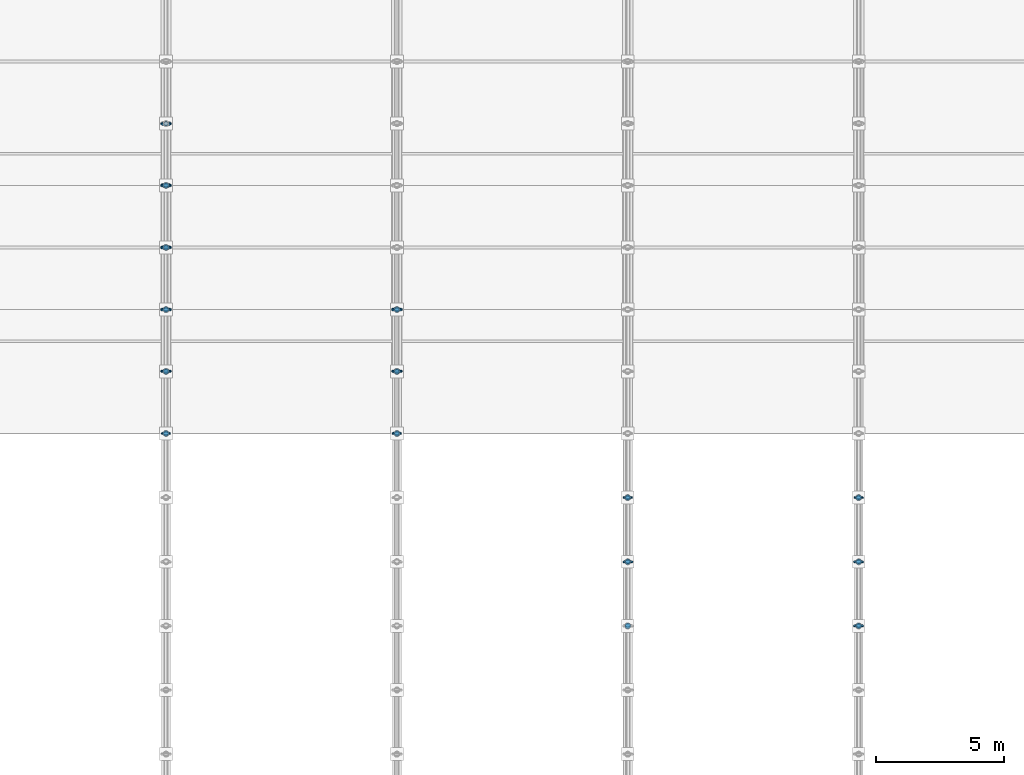
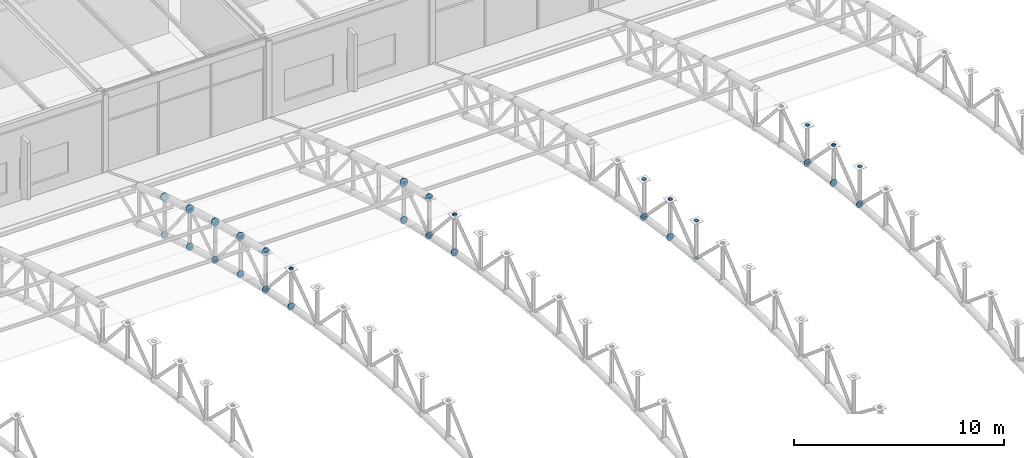
# One storey, part 134 of 195: 94 discrete accessories.
"""IFC4 building model written with IfcOpenShell, lengths in metres."""

from ifc_helpers import new_model, si_unit, direction, frame, origin, origin_2d, place, context, subcontext, project, spatial, circle, extrude, material, element, save


model = new_model("IFC4")

# Units and contexts
model_context = context("Model", 3, precision=1e-05, world=origin(), true_north=direction((0.0, 1.0)))
body_context = subcontext(model_context, "Body", "Model", "MODEL_VIEW")
ifc_project = project(units=[si_unit("LENGTHUNIT", "METRE"), si_unit("AREAUNIT", "SQUARE_METRE"), si_unit("VOLUMEUNIT", "CUBIC_METRE"), si_unit("PLANEANGLEUNIT", "RADIAN"), si_unit("MASSUNIT", "GRAM", prefix="KILO")], contexts=[model_context])

# Site, building, storey
site_placement = place(None, origin())
site = spatial("IfcSite", under=ifc_project, at=site_placement, CompositionType="ELEMENT")
building_placement = place(site_placement, origin())
building = spatial("IfcBuilding", under=site, at=building_placement, Name="Marlcrest Central Station", CompositionType="ELEMENT")
storey_placement = place(building_placement, frame((0.0, 0.0, 9.800048828125)))
storey = spatial("IfcBuildingStorey", under=building, at=storey_placement, Name="L02", CompositionType="ELEMENT", Elevation=9.800048828125)

# Discrete accessories
ifc_material = material(Name="Steel S355", Category="steel")
discrete_accessory_1_placement = place(storey_placement, frame((36.0, 80.975341796875, 3.407958984375), z_axis=(0.0, 0.98574109921, -0.168269086076), x_axis=(-1.0, 0.0, 0.0)))
element("IfcDiscreteAccessory", 1, at=discrete_accessory_1_placement, inside=storey, material=ifc_material, Name="endcap-mem-AC-02-L02-00596-e", ObjectType="END_CAP_PLATE", PredefinedType="BRACKET", context=body_context, shape_type="SweptSolid", body=[
    extrude(circle(Radius=0.185791015625, at=origin_2d()), origin(), (0.0, 0.0, 1.0), 0.0400390625),
])
discrete_accessory_2_placement = place(storey_placement, frame((36.0, 80.9794921875, 5.58935546875), z_axis=(0.0, 0.815661132754, 0.57852996164), x_axis=(-1.0, 0.0, 0.0)))
element("IfcDiscreteAccessory", 2, at=discrete_accessory_2_placement, inside=storey, material=ifc_material, Name="endcap-mem-AD-01-L02-00598-e", ObjectType="END_CAP_PLATE", PredefinedType="BRACKET", context=body_context, shape_type="SweptSolid", body=[
    extrude(circle(Radius=0.092041015625, at=origin_2d()), origin(), (0.0, 0.0, 1.0), 0.0400390625),
])
for number, where, z_axis, x_axis, name in (
    (3, (36.0, 80.9853515625, 3.40673828125), (0.0, 0.980359417961, -0.197219196874), (-1.0, 0.0, 0.0), "endcap-mem-AC-02-L02-00600-s"),
    (4, (36.0, 83.3955078125, 2.921875), (0.0, 0.980359417961, -0.197219196874), (-1.0, 0.0, 0.0), "endcap-mem-AC-02-L02-00600-e"),
):
    element("IfcDiscreteAccessory", number, at=place(storey_placement, frame(where, z_axis=z_axis, x_axis=x_axis)), inside=storey, material=ifc_material, Name=name, ObjectType="END_CAP_PLATE", PredefinedType="BRACKET", context=body_context, shape_type="SweptSolid", body=[
        extrude(circle(Radius=0.185791015625, at=origin_2d()), origin(), (0.0, 0.0, 1.0), 0.0400390625),
    ])
for number, where, z_axis, x_axis, name in (
    (5, (36.0, 81.0, 3.388916015625), (0.0, 0.0, 1.0), (1.0, 0.0, 0.0), "endcap-mem-AP-01-L02-00601-s"),
    (6, (36.0, 81.0, 5.578857421875), (0.0, 0.0, 1.0), (1.0, 0.0, 0.0), "endcap-mem-AP-01-L02-00601-e"),
):
    element("IfcDiscreteAccessory", number, at=place(storey_placement, frame(where, z_axis=z_axis, x_axis=x_axis)), inside=storey, material=ifc_material, Name=name, ObjectType="END_CAP_PLATE", PredefinedType="BRACKET", context=body_context, shape_type="SweptSolid", body=[
        extrude(circle(Radius=0.117431640625, at=origin_2d()), origin(), (0.0, 0.0, 1.0), 0.0400390625),
    ])
for number, where, z_axis, x_axis, name in (
    (7, (36.0, 80.989990234375, 5.614990234375), (0.0, 0.669244457479, -0.743042297675), (-1.0, 0.0, 0.0), "endcap-mem-AD-01-L02-00602-s"),
    (8, (36.0, 83.403076171875, 2.935546875), (0.0, 0.669244457479, -0.743042297675), (-1.0, 0.0, 0.0), "endcap-mem-AD-01-L02-00602-e"),
):
    element("IfcDiscreteAccessory", number, at=place(storey_placement, frame(where, z_axis=z_axis, x_axis=x_axis)), inside=storey, material=ifc_material, Name=name, ObjectType="END_CAP_PLATE", PredefinedType="BRACKET", context=body_context, shape_type="SweptSolid", body=[
        extrude(circle(Radius=0.092041015625, at=origin_2d()), origin(), (0.0, 0.0, 1.0), 0.0400390625),
    ])
for number, where, z_axis, x_axis, name in (
    (9, (36.0, 83.4052734375, 5.120361328125), (0.0, 0.974329612642, -0.225126200004), (-1.0, 0.0, 0.0), "endcap-mem-AC-01-L02-00603-s"),
    (10, (36.0, 85.8056640625, 4.565673828125), (0.0, 0.974329612642, -0.225126200004), (-1.0, 0.0, 0.0), "endcap-mem-AC-01-L02-00603-e"),
):
    element("IfcDiscreteAccessory", number, at=place(storey_placement, frame(where, z_axis=z_axis, x_axis=x_axis)), inside=storey, material=ifc_material, Name=name, ObjectType="END_CAP_PLATE", PredefinedType="BRACKET", context=body_context, shape_type="SweptSolid", body=[
        extrude(circle(Radius=0.211181640625, at=origin_2d()), origin(), (0.0, 0.0, 1.0), 0.0400390625),
    ])
for number, where, z_axis, x_axis, name in (
    (11, (36.0, 83.4052734375, 2.92041015625), (0.0, 0.974307959875, -0.225219891049), (-1.0, 0.0, 0.0), "endcap-mem-AC-02-L02-00604-s"),
    (12, (36.0, 85.8056640625, 2.365478515625), (0.0, 0.974307959875, -0.225219891049), (-1.0, 0.0, 0.0), "endcap-mem-AC-02-L02-00604-e"),
):
    element("IfcDiscreteAccessory", number, at=place(storey_placement, frame(where, z_axis=z_axis, x_axis=x_axis)), inside=storey, material=ifc_material, Name=name, ObjectType="END_CAP_PLATE", PredefinedType="BRACKET", context=body_context, shape_type="SweptSolid", body=[
        extrude(circle(Radius=0.185791015625, at=origin_2d()), origin(), (0.0, 0.0, 1.0), 0.0400390625),
    ])
for number, where, z_axis, x_axis, name in (
    (13, (36.0, 83.419921875, 2.902099609375), (0.0, 0.0, 1.0), (1.0, 0.0, 0.0), "endcap-mem-AP-01-L02-00605-s"),
    (14, (36.0, 83.419921875, 5.092041015625), (0.0, 0.0, 1.0), (1.0, 0.0, 0.0), "endcap-mem-AP-01-L02-00605-e"),
):
    element("IfcDiscreteAccessory", number, at=place(storey_placement, frame(where, z_axis=z_axis, x_axis=x_axis)), inside=storey, material=ifc_material, Name=name, ObjectType="END_CAP_PLATE", PredefinedType="BRACKET", context=body_context, shape_type="SweptSolid", body=[
        extrude(circle(Radius=0.117431640625, at=origin_2d()), origin(), (0.0, 0.0, 1.0), 0.0400390625),
    ])
for number, where, z_axis, x_axis, name in (
    (15, (36.0, 83.407470703125, 2.908447265625), (0.0, 0.82626275624, 0.563284881432), (-1.0, 0.0, 0.0), "endcap-mem-AD-01-L02-00606-s"),
    (16, (36.0, 85.809326171875, 4.5458984375), (0.0, 0.82626275624, 0.563284881432), (-1.0, 0.0, 0.0), "endcap-mem-AD-01-L02-00606-e"),
):
    element("IfcDiscreteAccessory", number, at=place(storey_placement, frame(where, z_axis=z_axis, x_axis=x_axis)), inside=storey, material=ifc_material, Name=name, ObjectType="END_CAP_PLATE", PredefinedType="BRACKET", context=body_context, shape_type="SweptSolid", body=[
        extrude(circle(Radius=0.092041015625, at=origin_2d()), origin(), (0.0, 0.0, 1.0), 0.0400390625),
    ])
for number, where, z_axis, x_axis, name in (
    (17, (36.0, 85.815673828125, 4.56396484375), (0.0, 0.967539481681, -0.252719906989), (-1.0, 0.0, 0.0), "endcap-mem-AC-01-L02-00607-s"),
    (18, (36.0, 88.225830078125, 3.934326171875), (0.0, 0.967539481681, -0.252719906989), (-1.0, 0.0, 0.0), "endcap-mem-AC-01-L02-00607-e"),
):
    element("IfcDiscreteAccessory", number, at=place(storey_placement, frame(where, z_axis=z_axis, x_axis=x_axis)), inside=storey, material=ifc_material, Name=name, ObjectType="END_CAP_PLATE", PredefinedType="BRACKET", context=body_context, shape_type="SweptSolid", body=[
        extrude(circle(Radius=0.211181640625, at=origin_2d()), origin(), (0.0, 0.0, 1.0), 0.0400390625),
    ])
for number, where, z_axis, x_axis, name in (
    (19, (36.0, 85.815673828125, 2.36376953125), (0.0, 0.967563345928, -0.252628524946), (-1.0, 0.0, 0.0), "endcap-mem-AC-02-L02-00608-s"),
    (20, (36.0, 88.225830078125, 1.734375), (0.0, 0.967563345928, -0.252628524946), (-1.0, 0.0, 0.0), "endcap-mem-AC-02-L02-00608-e"),
):
    element("IfcDiscreteAccessory", number, at=place(storey_placement, frame(where, z_axis=z_axis, x_axis=x_axis)), inside=storey, material=ifc_material, Name=name, ObjectType="END_CAP_PLATE", PredefinedType="BRACKET", context=body_context, shape_type="SweptSolid", body=[
        extrude(circle(Radius=0.185791015625, at=origin_2d()), origin(), (0.0, 0.0, 1.0), 0.0400390625),
    ])
for number, where, z_axis, x_axis, name in (
    (21, (36.0, 85.830078125, 2.344970703125), (0.0, 0.0, 1.0), (1.0, 0.0, 0.0), "endcap-mem-AP-01-L02-00609-s"),
    (22, (36.0, 85.830078125, 4.53515625), (0.0, 0.0, 1.0), (1.0, 0.0, 0.0), "endcap-mem-AP-01-L02-00609-e"),
):
    element("IfcDiscreteAccessory", number, at=place(storey_placement, frame(where, z_axis=z_axis, x_axis=x_axis)), inside=storey, material=ifc_material, Name=name, ObjectType="END_CAP_PLATE", PredefinedType="BRACKET", context=body_context, shape_type="SweptSolid", body=[
        extrude(circle(Radius=0.117431640625, at=origin_2d()), origin(), (0.0, 0.0, 1.0), 0.0400390625),
    ])
for number, where, z_axis, x_axis, name in (
    (23, (36.0, 85.8203125, 4.571533203125), (0.0, 0.649624779144, -0.760254987699), (-1.0, 0.0, 0.0), "endcap-mem-AD-01-L02-00610-s"),
    (24, (36.0, 88.233642578125, 1.7470703125), (0.0, 0.649624779144, -0.760254987699), (-1.0, 0.0, 0.0), "endcap-mem-AD-01-L02-00610-e"),
):
    element("IfcDiscreteAccessory", number, at=place(storey_placement, frame(where, z_axis=z_axis, x_axis=x_axis)), inside=storey, material=ifc_material, Name=name, ObjectType="END_CAP_PLATE", PredefinedType="BRACKET", context=body_context, shape_type="SweptSolid", body=[
        extrude(circle(Radius=0.092041015625, at=origin_2d()), origin(), (0.0, 0.0, 1.0), 0.0400390625),
    ])
for number, where, z_axis, x_axis, name in (
    (25, (36.0, 88.235595703125, 3.93212890625), (0.0, 0.960130083362, -0.27955361386), (-1.0, 0.0, 0.0), "endcap-mem-AC-01-L02-00611-s"),
    (26, (36.0, 90.64599609375, 3.23046875), (0.0, 0.960130083362, -0.27955361386), (-1.0, 0.0, 0.0), "endcap-mem-AC-01-L02-00611-e"),
):
    element("IfcDiscreteAccessory", number, at=place(storey_placement, frame(where, z_axis=z_axis, x_axis=x_axis)), inside=storey, material=ifc_material, Name=name, ObjectType="END_CAP_PLATE", PredefinedType="BRACKET", context=body_context, shape_type="SweptSolid", body=[
        extrude(circle(Radius=0.211181640625, at=origin_2d()), origin(), (0.0, 0.0, 1.0), 0.0400390625),
    ])
for number, where, z_axis, x_axis, name in (
    (27, (36.0, 88.235595703125, 1.732177734375), (0.0, 0.960130083362, -0.27955361386), (-1.0, 0.0, 0.0), "endcap-mem-AC-02-L02-00612-s"),
    (28, (36.0, 90.64599609375, 1.030517578125), (0.0, 0.960130083362, -0.27955361386), (-1.0, 0.0, 0.0), "endcap-mem-AC-02-L02-00612-e"),
):
    element("IfcDiscreteAccessory", number, at=place(storey_placement, frame(where, z_axis=z_axis, x_axis=x_axis)), inside=storey, material=ifc_material, Name=name, ObjectType="END_CAP_PLATE", PredefinedType="BRACKET", context=body_context, shape_type="SweptSolid", body=[
        extrude(circle(Radius=0.185791015625, at=origin_2d()), origin(), (0.0, 0.0, 1.0), 0.0400390625),
    ])
for number, where, z_axis, x_axis, name in (
    (29, (36.0, 88.25, 1.713134765625), (0.0, 0.0, 1.0), (1.0, 0.0, 0.0), "endcap-mem-AP-01-L02-00613-s"),
    (30, (36.0, 88.25, 3.903076171875), (0.0, 0.0, 1.0), (1.0, 0.0, 0.0), "endcap-mem-AP-01-L02-00613-e"),
):
    element("IfcDiscreteAccessory", number, at=place(storey_placement, frame(where, z_axis=z_axis, x_axis=x_axis)), inside=storey, material=ifc_material, Name=name, ObjectType="END_CAP_PLATE", PredefinedType="BRACKET", context=body_context, shape_type="SweptSolid", body=[
        extrude(circle(Radius=0.117431640625, at=origin_2d()), origin(), (0.0, 0.0, 1.0), 0.0400390625),
    ])
for number, where, z_axis, x_axis, name in (
    (31, (36.0, 88.2373046875, 1.72021484375), (0.0, 0.850687380038, 0.525671933286), (-1.0, 0.0, 0.0), "endcap-mem-AD-01-L02-00614-s"),
    (32, (36.0, 90.648681640625, 3.210205078125), (0.0, 0.850687380038, 0.525671933286), (-1.0, 0.0, 0.0), "endcap-mem-AD-01-L02-00614-e"),
):
    element("IfcDiscreteAccessory", number, at=place(storey_placement, frame(where, z_axis=z_axis, x_axis=x_axis)), inside=storey, material=ifc_material, Name=name, ObjectType="END_CAP_PLATE", PredefinedType="BRACKET", context=body_context, shape_type="SweptSolid", body=[
        extrude(circle(Radius=0.092041015625, at=origin_2d()), origin(), (0.0, 0.0, 1.0), 0.0400390625),
    ])
for number, where, z_axis, x_axis, name in (
    (33, (36.0, 90.65576171875, 3.22802734375), (0.0, 0.952116828449, -0.305734435391), (-1.0, 0.0, 0.0), "endcap-mem-AC-01-L02-00615-s"),
    (34, (36.0, 93.056396484375, 2.45703125), (0.0, 0.952116828449, -0.305734435391), (-1.0, 0.0, 0.0), "endcap-mem-AC-01-L02-00615-e"),
):
    element("IfcDiscreteAccessory", number, at=place(storey_placement, frame(where, z_axis=z_axis, x_axis=x_axis)), inside=storey, material=ifc_material, Name=name, ObjectType="END_CAP_PLATE", PredefinedType="BRACKET", context=body_context, shape_type="SweptSolid", body=[
        extrude(circle(Radius=0.211181640625, at=origin_2d()), origin(), (0.0, 0.0, 1.0), 0.0400390625),
    ])
for number, where, z_axis, x_axis, name in (
    (35, (36.0, 90.65576171875, 1.028076171875), (0.0, 0.952116828449, -0.305734435391), (-1.0, 0.0, 0.0), "endcap-mem-AC-02-L02-00616-s"),
    (36, (36.0, 93.056396484375, 0.257080078125), (0.0, 0.952116828449, -0.305734435391), (-1.0, 0.0, 0.0), "endcap-mem-AC-02-L02-00616-e"),
):
    element("IfcDiscreteAccessory", number, at=place(storey_placement, frame(where, z_axis=z_axis, x_axis=x_axis)), inside=storey, material=ifc_material, Name=name, ObjectType="END_CAP_PLATE", PredefinedType="BRACKET", context=body_context, shape_type="SweptSolid", body=[
        extrude(circle(Radius=0.185791015625, at=origin_2d()), origin(), (0.0, 0.0, 1.0), 0.0400390625),
    ])
for number, where, z_axis, x_axis, name in (
    (37, (36.0, 90.669921875, 1.008544921875), (0.0, 0.0, 1.0), (1.0, 0.0, 0.0), "endcap-mem-AP-01-L02-00617-s"),
    (38, (36.0, 90.669921875, 3.198486328125), (0.0, 0.0, 1.0), (1.0, 0.0, 0.0), "endcap-mem-AP-01-L02-00617-e"),
):
    element("IfcDiscreteAccessory", number, at=place(storey_placement, frame(where, z_axis=z_axis, x_axis=x_axis)), inside=storey, material=ifc_material, Name=name, ObjectType="END_CAP_PLATE", PredefinedType="BRACKET", context=body_context, shape_type="SweptSolid", body=[
        extrude(circle(Radius=0.117431640625, at=origin_2d()), origin(), (0.0, 0.0, 1.0), 0.0400390625),
    ])
for number, where, z_axis, x_axis, name in (
    (39, (36.0, 90.660400390625, 3.235107421875), (0.0, 0.62962929743, -0.776895712318), (-1.0, 0.0, 0.0), "endcap-mem-AD-01-L02-00618-s"),
    (40, (36.0, 93.064453125, 0.26904296875), (0.0, 0.62962929743, -0.776895712318), (-1.0, 0.0, 0.0), "endcap-mem-AD-01-L02-00618-e"),
):
    element("IfcDiscreteAccessory", number, at=place(storey_placement, frame(where, z_axis=z_axis, x_axis=x_axis)), inside=storey, material=ifc_material, Name=name, ObjectType="END_CAP_PLATE", PredefinedType="BRACKET", context=body_context, shape_type="SweptSolid", body=[
        extrude(circle(Radius=0.092041015625, at=origin_2d()), origin(), (0.0, 0.0, 1.0), 0.0400390625),
    ])
discrete_accessory_3_placement = place(storey_placement, frame((45.0, 80.975341796875, 3.407958984375), z_axis=(0.0, 0.98574109921, -0.168269086076), x_axis=(-1.0, 0.0, 0.0)))
element("IfcDiscreteAccessory", 41, at=discrete_accessory_3_placement, inside=storey, material=ifc_material, Name="endcap-mem-AC-02-L02-00712-e", ObjectType="END_CAP_PLATE", PredefinedType="BRACKET", context=body_context, shape_type="SweptSolid", body=[
    extrude(circle(Radius=0.185791015625, at=origin_2d()), origin(), (0.0, 0.0, 1.0), 0.0400390625),
])
discrete_accessory_4_placement = place(storey_placement, frame((45.0, 80.9794921875, 5.58935546875), z_axis=(0.0, 0.815661132754, 0.57852996164), x_axis=(-1.0, 0.0, 0.0)))
element("IfcDiscreteAccessory", 42, at=discrete_accessory_4_placement, inside=storey, material=ifc_material, Name="endcap-mem-AD-01-L02-00714-e", ObjectType="END_CAP_PLATE", PredefinedType="BRACKET", context=body_context, shape_type="SweptSolid", body=[
    extrude(circle(Radius=0.092041015625, at=origin_2d()), origin(), (0.0, 0.0, 1.0), 0.0400390625),
])
for number, where, z_axis, x_axis, name in (
    (43, (45.0, 80.9853515625, 3.40673828125), (0.0, 0.980359417961, -0.197219196874), (-1.0, 0.0, 0.0), "endcap-mem-AC-02-L02-00716-s"),
    (44, (45.0, 83.3955078125, 2.921875), (0.0, 0.980359417961, -0.197219196874), (-1.0, 0.0, 0.0), "endcap-mem-AC-02-L02-00716-e"),
):
    element("IfcDiscreteAccessory", number, at=place(storey_placement, frame(where, z_axis=z_axis, x_axis=x_axis)), inside=storey, material=ifc_material, Name=name, ObjectType="END_CAP_PLATE", PredefinedType="BRACKET", context=body_context, shape_type="SweptSolid", body=[
        extrude(circle(Radius=0.185791015625, at=origin_2d()), origin(), (0.0, 0.0, 1.0), 0.0400390625),
    ])
for number, where, z_axis, x_axis, name in (
    (45, (45.0, 81.0, 3.388916015625), (0.0, 0.0, 1.0), (1.0, 0.0, 0.0), "endcap-mem-AP-01-L02-00717-s"),
    (46, (45.0, 81.0, 5.578857421875), (0.0, 0.0, 1.0), (1.0, 0.0, 0.0), "endcap-mem-AP-01-L02-00717-e"),
):
    element("IfcDiscreteAccessory", number, at=place(storey_placement, frame(where, z_axis=z_axis, x_axis=x_axis)), inside=storey, material=ifc_material, Name=name, ObjectType="END_CAP_PLATE", PredefinedType="BRACKET", context=body_context, shape_type="SweptSolid", body=[
        extrude(circle(Radius=0.117431640625, at=origin_2d()), origin(), (0.0, 0.0, 1.0), 0.0400390625),
    ])
for number, where, z_axis, x_axis, name in (
    (47, (45.0, 80.989990234375, 5.614990234375), (0.0, 0.669244457479, -0.743042297675), (-1.0, 0.0, 0.0), "endcap-mem-AD-01-L02-00718-s"),
    (48, (45.0, 83.403076171875, 2.935546875), (0.0, 0.669244457479, -0.743042297675), (-1.0, 0.0, 0.0), "endcap-mem-AD-01-L02-00718-e"),
):
    element("IfcDiscreteAccessory", number, at=place(storey_placement, frame(where, z_axis=z_axis, x_axis=x_axis)), inside=storey, material=ifc_material, Name=name, ObjectType="END_CAP_PLATE", PredefinedType="BRACKET", context=body_context, shape_type="SweptSolid", body=[
        extrude(circle(Radius=0.092041015625, at=origin_2d()), origin(), (0.0, 0.0, 1.0), 0.0400390625),
    ])
for number, where, z_axis, x_axis, name in (
    (49, (45.0, 83.4052734375, 5.120361328125), (0.0, 0.974329612642, -0.225126200004), (-1.0, 0.0, 0.0), "endcap-mem-AC-01-L02-00719-s"),
    (50, (45.0, 85.8056640625, 4.565673828125), (0.0, 0.974329612642, -0.225126200004), (-1.0, 0.0, 0.0), "endcap-mem-AC-01-L02-00719-e"),
):
    element("IfcDiscreteAccessory", number, at=place(storey_placement, frame(where, z_axis=z_axis, x_axis=x_axis)), inside=storey, material=ifc_material, Name=name, ObjectType="END_CAP_PLATE", PredefinedType="BRACKET", context=body_context, shape_type="SweptSolid", body=[
        extrude(circle(Radius=0.211181640625, at=origin_2d()), origin(), (0.0, 0.0, 1.0), 0.0400390625),
    ])
for number, where, z_axis, x_axis, name in (
    (51, (45.0, 83.4052734375, 2.92041015625), (0.0, 0.974307959875, -0.225219891049), (-1.0, 0.0, 0.0), "endcap-mem-AC-02-L02-00720-s"),
    (52, (45.0, 85.8056640625, 2.365478515625), (0.0, 0.974307959875, -0.225219891049), (-1.0, 0.0, 0.0), "endcap-mem-AC-02-L02-00720-e"),
):
    element("IfcDiscreteAccessory", number, at=place(storey_placement, frame(where, z_axis=z_axis, x_axis=x_axis)), inside=storey, material=ifc_material, Name=name, ObjectType="END_CAP_PLATE", PredefinedType="BRACKET", context=body_context, shape_type="SweptSolid", body=[
        extrude(circle(Radius=0.185791015625, at=origin_2d()), origin(), (0.0, 0.0, 1.0), 0.0400390625),
    ])
for number, where, z_axis, x_axis, name in (
    (53, (45.0, 83.419921875, 2.902099609375), (0.0, 0.0, 1.0), (1.0, 0.0, 0.0), "endcap-mem-AP-01-L02-00721-s"),
    (54, (45.0, 83.419921875, 5.092041015625), (0.0, 0.0, 1.0), (1.0, 0.0, 0.0), "endcap-mem-AP-01-L02-00721-e"),
):
    element("IfcDiscreteAccessory", number, at=place(storey_placement, frame(where, z_axis=z_axis, x_axis=x_axis)), inside=storey, material=ifc_material, Name=name, ObjectType="END_CAP_PLATE", PredefinedType="BRACKET", context=body_context, shape_type="SweptSolid", body=[
        extrude(circle(Radius=0.117431640625, at=origin_2d()), origin(), (0.0, 0.0, 1.0), 0.0400390625),
    ])
for number, where, z_axis, x_axis, name in (
    (55, (45.0, 83.407470703125, 2.908447265625), (0.0, 0.82626275624, 0.563284881432), (-1.0, 0.0, 0.0), "endcap-mem-AD-01-L02-00722-s"),
    (56, (45.0, 85.809326171875, 4.5458984375), (0.0, 0.82626275624, 0.563284881432), (-1.0, 0.0, 0.0), "endcap-mem-AD-01-L02-00722-e"),
):
    element("IfcDiscreteAccessory", number, at=place(storey_placement, frame(where, z_axis=z_axis, x_axis=x_axis)), inside=storey, material=ifc_material, Name=name, ObjectType="END_CAP_PLATE", PredefinedType="BRACKET", context=body_context, shape_type="SweptSolid", body=[
        extrude(circle(Radius=0.092041015625, at=origin_2d()), origin(), (0.0, 0.0, 1.0), 0.0400390625),
    ])
discrete_accessory_5_placement = place(storey_placement, frame((45.0, 85.815673828125, 4.56396484375), z_axis=(0.0, 0.967539481681, -0.252719906989), x_axis=(-1.0, 0.0, 0.0)))
element("IfcDiscreteAccessory", 57, at=discrete_accessory_5_placement, inside=storey, material=ifc_material, Name="endcap-mem-AC-01-L02-00723-s", ObjectType="END_CAP_PLATE", PredefinedType="BRACKET", context=body_context, shape_type="SweptSolid", body=[
    extrude(circle(Radius=0.211181640625, at=origin_2d()), origin(), (0.0, 0.0, 1.0), 0.0400390625),
])
discrete_accessory_6_placement = place(storey_placement, frame((45.0, 85.815673828125, 2.36376953125), z_axis=(0.0, 0.967563345928, -0.252628524946), x_axis=(-1.0, 0.0, 0.0)))
element("IfcDiscreteAccessory", 58, at=discrete_accessory_6_placement, inside=storey, material=ifc_material, Name="endcap-mem-AC-02-L02-00724-s", ObjectType="END_CAP_PLATE", PredefinedType="BRACKET", context=body_context, shape_type="SweptSolid", body=[
    extrude(circle(Radius=0.185791015625, at=origin_2d()), origin(), (0.0, 0.0, 1.0), 0.0400390625),
])
for number, where, z_axis, x_axis, name in (
    (59, (45.0, 85.830078125, 2.344970703125), (0.0, 0.0, 1.0), (1.0, 0.0, 0.0), "endcap-mem-AP-01-L02-00725-s"),
    (60, (45.0, 85.830078125, 4.53515625), (0.0, 0.0, 1.0), (1.0, 0.0, 0.0), "endcap-mem-AP-01-L02-00725-e"),
):
    element("IfcDiscreteAccessory", number, at=place(storey_placement, frame(where, z_axis=z_axis, x_axis=x_axis)), inside=storey, material=ifc_material, Name=name, ObjectType="END_CAP_PLATE", PredefinedType="BRACKET", context=body_context, shape_type="SweptSolid", body=[
        extrude(circle(Radius=0.117431640625, at=origin_2d()), origin(), (0.0, 0.0, 1.0), 0.0400390625),
    ])
discrete_accessory_7_placement = place(storey_placement, frame((45.0, 85.8203125, 4.571533203125), z_axis=(0.0, 0.649624779144, -0.760254987699), x_axis=(-1.0, 0.0, 0.0)))
element("IfcDiscreteAccessory", 61, at=discrete_accessory_7_placement, inside=storey, material=ifc_material, Name="endcap-mem-AD-01-L02-00726-s", ObjectType="END_CAP_PLATE", PredefinedType="BRACKET", context=body_context, shape_type="SweptSolid", body=[
    extrude(circle(Radius=0.092041015625, at=origin_2d()), origin(), (0.0, 0.0, 1.0), 0.0400390625),
])
discrete_accessory_8_placement = place(storey_placement, frame((54.0, 75.97509765625, 4.18212890625), z_axis=(0.0, 0.994155341034, -0.107959056565), x_axis=(-1.0, 0.0, 0.0)))
element("IfcDiscreteAccessory", 62, at=discrete_accessory_8_placement, inside=storey, material=ifc_material, Name="endcap-mem-AC-02-L02-00820-e", ObjectType="END_CAP_PLATE", PredefinedType="BRACKET", context=body_context, shape_type="SweptSolid", body=[
    extrude(circle(Radius=0.185791015625, at=origin_2d()), origin(), (0.0, 0.0, 1.0), 0.0400390625),
])
for number, where, z_axis, x_axis, name in (
    (63, (54.0, 73.5, 4.43603515625), (0.0, 0.0, 1.0), (1.0, 0.0, 0.0), "endcap-mem-AP-01-L02-00821-s"),
    (64, (54.0, 73.5, 6.6259765625), (0.0, 0.0, 1.0), (1.0, 0.0, 0.0), "endcap-mem-AP-01-L02-00821-e"),
):
    element("IfcDiscreteAccessory", number, at=place(storey_placement, frame(where, z_axis=z_axis, x_axis=x_axis)), inside=storey, material=ifc_material, Name=name, ObjectType="END_CAP_PLATE", PredefinedType="BRACKET", context=body_context, shape_type="SweptSolid", body=[
        extrude(circle(Radius=0.117431640625, at=origin_2d()), origin(), (0.0, 0.0, 1.0), 0.0400390625),
    ])
for number, where, z_axis, x_axis, name in (
    (65, (54.0, 73.488037109375, 4.441650390625), (0.0, 0.791798282026, 0.610782678684), (-1.0, 0.0, 0.0), "endcap-mem-AD-01-L02-00822-s"),
    (66, (54.0, 75.980224609375, 6.364013671875), (0.0, 0.791798282026, 0.610782678684), (-1.0, 0.0, 0.0), "endcap-mem-AD-01-L02-00822-e"),
):
    element("IfcDiscreteAccessory", number, at=place(storey_placement, frame(where, z_axis=z_axis, x_axis=x_axis)), inside=storey, material=ifc_material, Name=name, ObjectType="END_CAP_PLATE", PredefinedType="BRACKET", context=body_context, shape_type="SweptSolid", body=[
        extrude(circle(Radius=0.092041015625, at=origin_2d()), origin(), (0.0, 0.0, 1.0), 0.0400390625),
    ])
for number, where, z_axis, x_axis, name in (
    (67, (54.0, 75.985107421875, 4.181396484375), (0.0, 0.990402740232, -0.138211476152), (-1.0, 0.0, 0.0), "endcap-mem-AC-02-L02-00824-s"),
    (68, (54.0, 78.475341796875, 3.833984375), (0.0, 0.990402740232, -0.138211476152), (-1.0, 0.0, 0.0), "endcap-mem-AC-02-L02-00824-e"),
):
    element("IfcDiscreteAccessory", number, at=place(storey_placement, frame(where, z_axis=z_axis, x_axis=x_axis)), inside=storey, material=ifc_material, Name=name, ObjectType="END_CAP_PLATE", PredefinedType="BRACKET", context=body_context, shape_type="SweptSolid", body=[
        extrude(circle(Radius=0.185791015625, at=origin_2d()), origin(), (0.0, 0.0, 1.0), 0.0400390625),
    ])
for number, where, z_axis, x_axis, name in (
    (69, (54.0, 76.0, 4.16455078125), (0.0, 0.0, 1.0), (1.0, 0.0, 0.0), "endcap-mem-AP-01-L02-00825-s"),
    (70, (54.0, 76.0, 6.3544921875), (0.0, 0.0, 1.0), (1.0, 0.0, 0.0), "endcap-mem-AP-01-L02-00825-e"),
):
    element("IfcDiscreteAccessory", number, at=place(storey_placement, frame(where, z_axis=z_axis, x_axis=x_axis)), inside=storey, material=ifc_material, Name=name, ObjectType="END_CAP_PLATE", PredefinedType="BRACKET", context=body_context, shape_type="SweptSolid", body=[
        extrude(circle(Radius=0.117431640625, at=origin_2d()), origin(), (0.0, 0.0, 1.0), 0.0400390625),
    ])
for number, where, z_axis, x_axis, name in (
    (71, (54.0, 75.989501953125, 6.39013671875), (0.0, 0.70023547796, -0.713911952139), (-1.0, 0.0, 0.0), "endcap-mem-AD-01-L02-00826-s"),
    (72, (54.0, 78.482421875, 3.848388671875), (0.0, 0.70023547796, -0.713911952139), (-1.0, 0.0, 0.0), "endcap-mem-AD-01-L02-00826-e"),
):
    element("IfcDiscreteAccessory", number, at=place(storey_placement, frame(where, z_axis=z_axis, x_axis=x_axis)), inside=storey, material=ifc_material, Name=name, ObjectType="END_CAP_PLATE", PredefinedType="BRACKET", context=body_context, shape_type="SweptSolid", body=[
        extrude(circle(Radius=0.092041015625, at=origin_2d()), origin(), (0.0, 0.0, 1.0), 0.0400390625),
    ])
discrete_accessory_9_placement = place(storey_placement, frame((54.0, 78.485107421875, 3.8330078125), z_axis=(0.0, 0.98574109921, -0.168269086076), x_axis=(-1.0, 0.0, 0.0)))
element("IfcDiscreteAccessory", 73, at=discrete_accessory_9_placement, inside=storey, material=ifc_material, Name="endcap-mem-AC-02-L02-00828-s", ObjectType="END_CAP_PLATE", PredefinedType="BRACKET", context=body_context, shape_type="SweptSolid", body=[
    extrude(circle(Radius=0.185791015625, at=origin_2d()), origin(), (0.0, 0.0, 1.0), 0.0400390625),
])
for number, where, z_axis, x_axis, name in (
    (74, (54.0, 78.5, 3.815673828125), (0.0, 0.0, 1.0), (1.0, 0.0, 0.0), "endcap-mem-AP-01-L02-00829-s"),
    (75, (54.0, 78.5, 6.005615234375), (0.0, 0.0, 1.0), (1.0, 0.0, 0.0), "endcap-mem-AP-01-L02-00829-e"),
):
    element("IfcDiscreteAccessory", number, at=place(storey_placement, frame(where, z_axis=z_axis, x_axis=x_axis)), inside=storey, material=ifc_material, Name=name, ObjectType="END_CAP_PLATE", PredefinedType="BRACKET", context=body_context, shape_type="SweptSolid", body=[
        extrude(circle(Radius=0.117431640625, at=origin_2d()), origin(), (0.0, 0.0, 1.0), 0.0400390625),
    ])
discrete_accessory_10_placement = place(storey_placement, frame((54.0, 78.48779296875, 3.82177734375), z_axis=(0.0, 0.815661132754, 0.57852996164), x_axis=(-1.0, 0.0, 0.0)))
element("IfcDiscreteAccessory", 76, at=discrete_accessory_10_placement, inside=storey, material=ifc_material, Name="endcap-mem-AD-01-L02-00830-s", ObjectType="END_CAP_PLATE", PredefinedType="BRACKET", context=body_context, shape_type="SweptSolid", body=[
    extrude(circle(Radius=0.092041015625, at=origin_2d()), origin(), (0.0, 0.0, 1.0), 0.0400390625),
])
discrete_accessory_11_placement = place(storey_placement, frame((63.0, 73.47509765625, 4.452880859375), z_axis=(0.0, 0.997007334767, -0.077307014043), x_axis=(-1.0, 0.0, 0.0)))
element("IfcDiscreteAccessory", 77, at=discrete_accessory_11_placement, inside=storey, material=ifc_material, Name="endcap-mem-AC-02-L02-00932-e", ObjectType="END_CAP_PLATE", PredefinedType="BRACKET", context=body_context, shape_type="SweptSolid", body=[
    extrude(circle(Radius=0.185791015625, at=origin_2d()), origin(), (0.0, 0.0, 1.0), 0.0400390625),
])
discrete_accessory_12_placement = place(storey_placement, frame((63.0, 73.48193359375, 4.46826171875), z_axis=(0.0, 0.722246537655, -0.691635698071), x_axis=(-1.0, 0.0, 0.0)))
element("IfcDiscreteAccessory", 78, at=discrete_accessory_12_placement, inside=storey, material=ifc_material, Name="endcap-mem-AD-01-L02-00934-e", ObjectType="END_CAP_PLATE", PredefinedType="BRACKET", context=body_context, shape_type="SweptSolid", body=[
    extrude(circle(Radius=0.092041015625, at=origin_2d()), origin(), (0.0, 0.0, 1.0), 0.0400390625),
])
for number, where, z_axis, x_axis, name in (
    (79, (63.0, 73.485107421875, 4.45263671875), (0.0, 0.994155341034, -0.107959056565), (-1.0, 0.0, 0.0), "endcap-mem-AC-02-L02-00936-s"),
    (80, (63.0, 75.97509765625, 4.18212890625), (0.0, 0.994155341034, -0.107959056565), (-1.0, 0.0, 0.0), "endcap-mem-AC-02-L02-00936-e"),
):
    element("IfcDiscreteAccessory", number, at=place(storey_placement, frame(where, z_axis=z_axis, x_axis=x_axis)), inside=storey, material=ifc_material, Name=name, ObjectType="END_CAP_PLATE", PredefinedType="BRACKET", context=body_context, shape_type="SweptSolid", body=[
        extrude(circle(Radius=0.185791015625, at=origin_2d()), origin(), (0.0, 0.0, 1.0), 0.0400390625),
    ])
for number, where, z_axis, x_axis, name in (
    (81, (63.0, 73.5, 4.43603515625), (0.0, 0.0, 1.0), (1.0, 0.0, 0.0), "endcap-mem-AP-01-L02-00937-s"),
    (82, (63.0, 73.5, 6.6259765625), (0.0, 0.0, 1.0), (1.0, 0.0, 0.0), "endcap-mem-AP-01-L02-00937-e"),
):
    element("IfcDiscreteAccessory", number, at=place(storey_placement, frame(where, z_axis=z_axis, x_axis=x_axis)), inside=storey, material=ifc_material, Name=name, ObjectType="END_CAP_PLATE", PredefinedType="BRACKET", context=body_context, shape_type="SweptSolid", body=[
        extrude(circle(Radius=0.117431640625, at=origin_2d()), origin(), (0.0, 0.0, 1.0), 0.0400390625),
    ])
for number, where, z_axis, x_axis, name in (
    (83, (63.0, 73.488037109375, 4.441650390625), (0.0, 0.791798282026, 0.610782678684), (-1.0, 0.0, 0.0), "endcap-mem-AD-01-L02-00938-s"),
    (84, (63.0, 75.980224609375, 6.364013671875), (0.0, 0.791798282026, 0.610782678684), (-1.0, 0.0, 0.0), "endcap-mem-AD-01-L02-00938-e"),
):
    element("IfcDiscreteAccessory", number, at=place(storey_placement, frame(where, z_axis=z_axis, x_axis=x_axis)), inside=storey, material=ifc_material, Name=name, ObjectType="END_CAP_PLATE", PredefinedType="BRACKET", context=body_context, shape_type="SweptSolid", body=[
        extrude(circle(Radius=0.092041015625, at=origin_2d()), origin(), (0.0, 0.0, 1.0), 0.0400390625),
    ])
for number, where, z_axis, x_axis, name in (
    (85, (63.0, 75.985107421875, 4.181396484375), (0.0, 0.990402740232, -0.138211476152), (-1.0, 0.0, 0.0), "endcap-mem-AC-02-L02-00940-s"),
    (86, (63.0, 78.475341796875, 3.833984375), (0.0, 0.990402740232, -0.138211476152), (-1.0, 0.0, 0.0), "endcap-mem-AC-02-L02-00940-e"),
):
    element("IfcDiscreteAccessory", number, at=place(storey_placement, frame(where, z_axis=z_axis, x_axis=x_axis)), inside=storey, material=ifc_material, Name=name, ObjectType="END_CAP_PLATE", PredefinedType="BRACKET", context=body_context, shape_type="SweptSolid", body=[
        extrude(circle(Radius=0.185791015625, at=origin_2d()), origin(), (0.0, 0.0, 1.0), 0.0400390625),
    ])
for number, where, z_axis, x_axis, name in (
    (87, (63.0, 76.0, 4.16455078125), (0.0, 0.0, 1.0), (1.0, 0.0, 0.0), "endcap-mem-AP-01-L02-00941-s"),
    (88, (63.0, 76.0, 6.3544921875), (0.0, 0.0, 1.0), (1.0, 0.0, 0.0), "endcap-mem-AP-01-L02-00941-e"),
):
    element("IfcDiscreteAccessory", number, at=place(storey_placement, frame(where, z_axis=z_axis, x_axis=x_axis)), inside=storey, material=ifc_material, Name=name, ObjectType="END_CAP_PLATE", PredefinedType="BRACKET", context=body_context, shape_type="SweptSolid", body=[
        extrude(circle(Radius=0.117431640625, at=origin_2d()), origin(), (0.0, 0.0, 1.0), 0.0400390625),
    ])
for number, where, z_axis, x_axis, name in (
    (89, (63.0, 75.989501953125, 6.39013671875), (0.0, 0.70023547796, -0.713911952139), (-1.0, 0.0, 0.0), "endcap-mem-AD-01-L02-00942-s"),
    (90, (63.0, 78.482421875, 3.848388671875), (0.0, 0.70023547796, -0.713911952139), (-1.0, 0.0, 0.0), "endcap-mem-AD-01-L02-00942-e"),
):
    element("IfcDiscreteAccessory", number, at=place(storey_placement, frame(where, z_axis=z_axis, x_axis=x_axis)), inside=storey, material=ifc_material, Name=name, ObjectType="END_CAP_PLATE", PredefinedType="BRACKET", context=body_context, shape_type="SweptSolid", body=[
        extrude(circle(Radius=0.092041015625, at=origin_2d()), origin(), (0.0, 0.0, 1.0), 0.0400390625),
    ])
discrete_accessory_13_placement = place(storey_placement, frame((63.0, 78.485107421875, 3.8330078125), z_axis=(0.0, 0.98574109921, -0.168269086076), x_axis=(-1.0, 0.0, 0.0)))
element("IfcDiscreteAccessory", 91, at=discrete_accessory_13_placement, inside=storey, material=ifc_material, Name="endcap-mem-AC-02-L02-00944-s", ObjectType="END_CAP_PLATE", PredefinedType="BRACKET", context=body_context, shape_type="SweptSolid", body=[
    extrude(circle(Radius=0.185791015625, at=origin_2d()), origin(), (0.0, 0.0, 1.0), 0.0400390625),
])
for number, where, z_axis, x_axis, name in (
    (92, (63.0, 78.5, 3.815673828125), (0.0, 0.0, 1.0), (1.0, 0.0, 0.0), "endcap-mem-AP-01-L02-00945-s"),
    (93, (63.0, 78.5, 6.005615234375), (0.0, 0.0, 1.0), (1.0, 0.0, 0.0), "endcap-mem-AP-01-L02-00945-e"),
):
    element("IfcDiscreteAccessory", number, at=place(storey_placement, frame(where, z_axis=z_axis, x_axis=x_axis)), inside=storey, material=ifc_material, Name=name, ObjectType="END_CAP_PLATE", PredefinedType="BRACKET", context=body_context, shape_type="SweptSolid", body=[
        extrude(circle(Radius=0.117431640625, at=origin_2d()), origin(), (0.0, 0.0, 1.0), 0.0400390625),
    ])
discrete_accessory_14_placement = place(storey_placement, frame((63.0, 78.48779296875, 3.82177734375), z_axis=(0.0, 0.815661132754, 0.57852996164), x_axis=(-1.0, 0.0, 0.0)))
element("IfcDiscreteAccessory", 94, at=discrete_accessory_14_placement, inside=storey, material=ifc_material, Name="endcap-mem-AD-01-L02-00946-s", ObjectType="END_CAP_PLATE", PredefinedType="BRACKET", context=body_context, shape_type="SweptSolid", body=[
    extrude(circle(Radius=0.092041015625, at=origin_2d()), origin(), (0.0, 0.0, 1.0), 0.0400390625),
])

save(model, "model.ifc")
